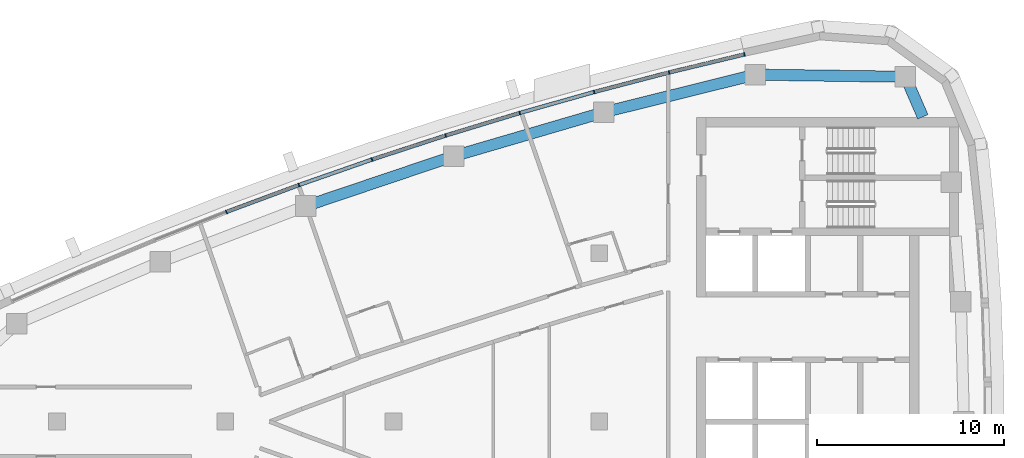
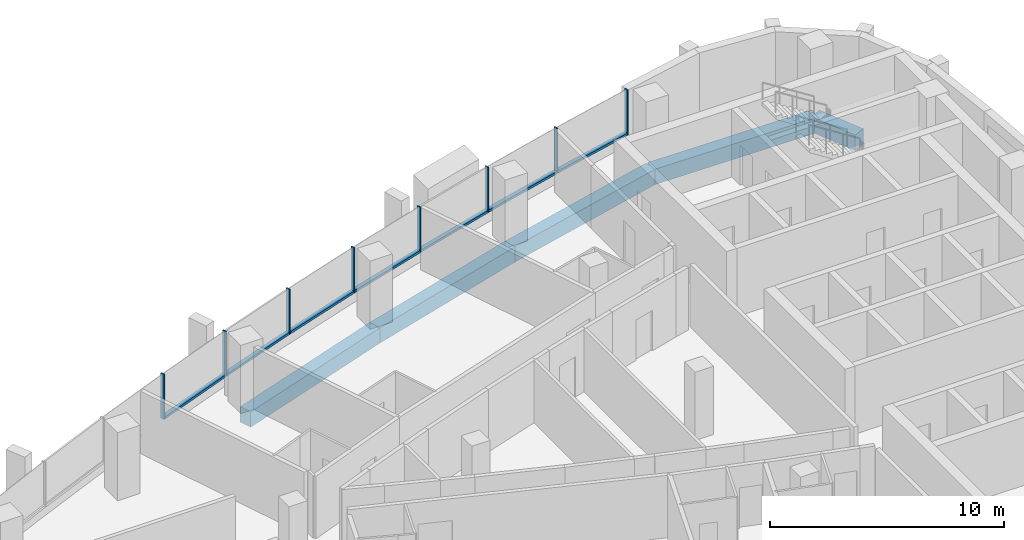
# One storey, part 5 of 14: 15 members, 5 beams, 4 elements without a shape of their own.
"""IFC4 building model written with IfcOpenShell, lengths in metres."""

from ifc_helpers import new_model, si_unit, direction, frame, origin, origin_2d, place, context, subcontext, project, spatial, rectangle, extrude, material, layer, layer_set, material_profile, profile_set, type_object, element, aggregate, save


model = new_model("IFC4")

# Units and contexts
model_context = context("Model", 3, precision=1e-05, world=origin(), true_north=direction((0.0, 1.0)))
body_context = subcontext(model_context, "Body", "Model", "MODEL_VIEW")
ifc_project = project(units=[si_unit("LENGTHUNIT", "METRE"), si_unit("AREAUNIT", "SQUARE_METRE"), si_unit("VOLUMEUNIT", "CUBIC_METRE"), si_unit("PLANEANGLEUNIT", "RADIAN"), si_unit("MASSUNIT", "GRAM", prefix="KILO")], contexts=[model_context])

# Site, building, storey
site_placement = place(None, origin())
site = spatial("IfcSite", under=ifc_project, at=site_placement, CompositionType="ELEMENT")
building_placement = place(site_placement, origin())
building = spatial("IfcBuilding", under=site, at=building_placement, Name="Ostrand Prow Hotel Tower", CompositionType="ELEMENT")
storey_placement = place(building_placement, frame((0.0, 0.0, 271.449951171875)))
storey = spatial("IfcBuildingStorey", under=building, at=storey_placement, Name="L68", CompositionType="ELEMENT", Elevation=271.449951171875)

# Beams
ifc_material_1 = material(Name="Concrete C50/60", Category="concrete")
ifc_material_profile_1 = material_profile(ifc_material_1, rectangle(XDim=0.60009765625, YDim=0.800048828125, at=origin_2d()), Name="RC 600x800")
ifc_profile_set_1 = profile_set([ifc_material_profile_1], Name="Concrete C50/60")
beam_type = type_object("IfcBeamType", Name="Edge beam 600x800 C50/60", PredefinedType="SPANDREL", material=ifc_profile_set_1)
beam_1_placement = place(storey_placement, frame((62.304931640625, 16.300048828125, -0.699951171875), z_axis=(-0.398863844187, 0.91701016014, 0.0), x_axis=(-0.91701016014, -0.398863844187, 0.0)))
element("IfcBeam", 1, at=beam_1_placement, inside=storey, type_object=beam_type, Name="Edge beam B5-NE", PredefinedType="SPANDREL", context=body_context, shape_type="SweptSolid", body=[
    extrude(rectangle(XDim=0.60009765625, YDim=0.800048828125, at=origin_2d()), origin(), (0.0, 0.0, 1.0), 2.333251953125),
])
beam_2_placement = place(storey_placement, frame((61.374267578125, 18.439697265625, -0.699951171875), z_axis=(-0.999900689486, 0.014092947356, 0.0), x_axis=(-0.014092947356, -0.999900689486, 0.0)))
element("IfcBeam", 2, at=beam_2_placement, inside=storey, type_object=beam_type, Name="Edge beam NE-N1", PredefinedType="SPANDREL", context=body_context, shape_type="SweptSolid", body=[
    extrude(rectangle(XDim=0.60009765625, YDim=0.800048828125, at=origin_2d()), origin(), (0.0, 0.0, 1.0), 8.0380859375),
])
for number, where, z_axis, x_axis, name in (
    (3, (53.3369140625, 18.552978515625, -0.699951171875), (-0.970456465292, -0.241276291775, 0.0), (0.241276291775, -0.970456465292, 0.0), "Edge beam N1-N2"),
    (4, (45.234619140625, 16.53857421875, -0.699951171875), (-0.959821966031, -0.280609681809, 0.0), (0.280609681809, -0.959821966031, 0.0), "Edge beam N2-N3"),
    (5, (37.22119140625, 14.19580078125, -0.699951171875), (-0.947575089419, -0.319533174981, 0.0), (0.319533174981, -0.947575089419, 0.0), "Edge beam N3-N4"),
):
    element("IfcBeam", number, at=place(storey_placement, frame(where, z_axis=z_axis, x_axis=x_axis)), inside=storey, type_object=beam_type, Name=name, PredefinedType="SPANDREL", context=body_context, shape_type="SweptSolid", body=[
        extrude(rectangle(XDim=0.60009765625, YDim=0.800048828125, at=origin_2d()), origin(), (0.0, 0.0, 1.0), 8.348876953125),
    ])

# Curtain wall, members
ifc_material_2 = material(Name="Insulated glass in bronze anodised frame", Category="glass")
ifc_layer = layer(ifc_material_2, 0.199951171875)
ifc_layer_set = layer_set([ifc_layer], Name="Insulated glass in bronze anodised frame")
curtain_wall_type = type_object("IfcCurtainWallType", Name="Strip curtain wall, fritted glass over bronze spandrel", PredefinedType="NOTDEFINED", material=ifc_layer_set)
curtain_wall_1_placement = place(storey_placement, origin())
curtain_wall_1 = element("IfcCurtainWall", 6, at=curtain_wall_1_placement, inside=storey, type_object=curtain_wall_type, Name="CW1 run CWN1", PredefinedType="NOTDEFINED")
ifc_material_3 = material(Name="Bronze anodised aluminium", Category="aluminium")
ifc_material_profile_2 = material_profile(ifc_material_3, rectangle(XDim=0.199951171875, YDim=0.06005859375, at=origin_2d()), Name="Mullion 60x200 bronze anodised aluminium")
ifc_profile_set_2 = profile_set([ifc_material_profile_2], Name="Bronze anodised aluminium")
member_type_1 = type_object("IfcMemberType", Name="Mullion 60x200 bronze anodised aluminium", PredefinedType="MULLION", material=ifc_profile_set_2)
member_1_placement = place(storey_placement, frame((52.7607421875, 19.634521484375, 0.900146484375), z_axis=(0.0, 0.0, 1.0), x_axis=(0.232746096028, -0.972537533869, 0.0)))
member_1 = element("IfcMember", 7, at=member_1_placement, type_object=member_type_1, Name="CW1 mullion 1", PredefinedType="MULLION", context=body_context, shape_type="SweptSolid", body=[
    extrude(rectangle(XDim=0.199951171875, YDim=0.06005859375, at=origin_2d()), origin(), (0.0, 0.0, 1.0), 2.349853515625),
])
member_2_placement = place(storey_placement, frame((48.734619140625, 18.6708984375, 0.900146484375), z_axis=(0.0, 0.0, 1.0), x_axis=(0.252248384867, -0.967662519855, 0.0)))
member_2 = element("IfcMember", 8, at=member_2_placement, type_object=member_type_1, Name="CW1 mullion 2", PredefinedType="MULLION", context=body_context, shape_type="SweptSolid", body=[
    extrude(rectangle(XDim=0.199951171875, YDim=0.06005859375, at=origin_2d()), origin(), (0.0, 0.0, 1.0), 2.349853515625),
])
member_3_placement = place(storey_placement, frame((44.728515625, 17.626708984375, 0.900146484375), z_axis=(0.0, 0.0, 1.0), x_axis=(0.252248384867, -0.967662519855, 0.0)))
member_3 = element("IfcMember", 9, at=member_3_placement, type_object=member_type_1, Name="CW1 mullion 3", PredefinedType="MULLION", context=body_context, shape_type="SweptSolid", body=[
    extrude(rectangle(XDim=0.199951171875, YDim=0.06005859375, at=origin_2d()), origin(), (0.0, 0.0, 1.0), 2.349853515625),
])

curtain_wall_2_placement = place(storey_placement, origin())
curtain_wall_2 = element("IfcCurtainWall", 10, at=curtain_wall_2_placement, inside=storey, type_object=curtain_wall_type, Name="CW1 run CWN2", PredefinedType="NOTDEFINED")
member_4_placement = place(storey_placement, frame((40.744384765625, 16.502197265625, 0.900146484375), z_axis=(0.0, 0.0, 1.0), x_axis=(0.290937648411, -0.956742015769, 0.0)))
member_4 = element("IfcMember", 11, at=member_4_placement, type_object=member_type_1, Name="CW1 mullion 2", PredefinedType="MULLION", context=body_context, shape_type="SweptSolid", body=[
    extrude(rectangle(XDim=0.199951171875, YDim=0.06005859375, at=origin_2d()), origin(), (0.0, 0.0, 1.0), 2.349853515625),
])
member_5_placement = place(storey_placement, frame((36.78369140625, 15.297607421875, 0.900146484375), z_axis=(0.0, 0.0, 1.0), x_axis=(0.290937648411, -0.956742015769, 0.0)))
member_5 = element("IfcMember", 12, at=member_5_placement, type_object=member_type_1, Name="CW1 mullion 3", PredefinedType="MULLION", context=body_context, shape_type="SweptSolid", body=[
    extrude(rectangle(XDim=0.199951171875, YDim=0.06005859375, at=origin_2d()), origin(), (0.0, 0.0, 1.0), 2.349853515625),
])

curtain_wall_3_placement = place(storey_placement, origin())
curtain_wall_3 = element("IfcCurtainWall", 13, at=curtain_wall_3_placement, inside=storey, type_object=curtain_wall_type, Name="CW1 run CWN3", PredefinedType="NOTDEFINED")
member_6_placement = place(storey_placement, frame((32.84814453125, 14.013916015625, 0.900146484375), z_axis=(0.0, 0.0, 1.0), x_axis=(0.329158370885, -0.944274730614, 0.0)))
member_6 = element("IfcMember", 14, at=member_6_placement, type_object=member_type_1, Name="CW1 mullion 2", PredefinedType="MULLION", context=body_context, shape_type="SweptSolid", body=[
    extrude(rectangle(XDim=0.199951171875, YDim=0.06005859375, at=origin_2d()), origin(), (0.0, 0.0, 1.0), 2.349853515625),
])
member_7_placement = place(storey_placement, frame((28.93896484375, 12.6513671875, 0.900146484375), z_axis=(0.0, 0.0, 1.0), x_axis=(0.329158370885, -0.944274730614, 0.0)))
member_7 = element("IfcMember", 15, at=member_7_placement, type_object=member_type_1, Name="CW1 mullion 3", PredefinedType="MULLION", context=body_context, shape_type="SweptSolid", body=[
    extrude(rectangle(XDim=0.199951171875, YDim=0.06005859375, at=origin_2d()), origin(), (0.0, 0.0, 1.0), 2.349853515625),
])

# Curtain wall, member
curtain_wall_4_placement = place(storey_placement, origin())
curtain_wall_4 = element("IfcCurtainWall", 16, at=curtain_wall_4_placement, inside=storey, type_object=curtain_wall_type, Name="CW1 run CWN4", PredefinedType="NOTDEFINED")
member_8_placement = place(storey_placement, frame((25.05810546875, 11.210205078125, 0.900146484375), z_axis=(0.0, 0.0, 1.0), x_axis=(0.366845465248, -0.930281895249, 0.0)))
member_8 = element("IfcMember", 17, at=member_8_placement, type_object=member_type_1, Name="CW1 mullion 2", PredefinedType="MULLION", context=body_context, shape_type="SweptSolid", body=[
    extrude(rectangle(XDim=0.199951171875, YDim=0.06005859375, at=origin_2d()), origin(), (0.0, 0.0, 1.0), 2.349853515625),
])

# Member
ifc_material_4 = material(Name="Bronze anodised aluminium", Category="aluminium")
ifc_material_profile_3 = material_profile(ifc_material_4, rectangle(XDim=0.199951171875, YDim=0.1201171875, at=origin_2d()), Name="Transom 120x200 bronze anodised aluminium")
ifc_profile_set_3 = profile_set([ifc_material_profile_3], Name="Bronze anodised aluminium")
member_type_2 = type_object("IfcMemberType", Name="Transom 120x200 bronze anodised aluminium", PredefinedType="USERDEFINED", material=ifc_profile_set_3)
member_9_placement = place(storey_placement, frame((52.7314453125, 19.62744140625, 0.9599609375), z_axis=(-0.972542980558, -0.232723335675, 0.0), x_axis=(0.232723335675, -0.972542980558, 0.0)))
member_9 = element("IfcMember", 18, at=member_9_placement, type_object=member_type_2, Name="CW1 transom 1.1", ObjectType="TRANSOM", PredefinedType="USERDEFINED", context=body_context, shape_type="SweptSolid", body=[
    extrude(rectangle(XDim=0.199951171875, YDim=0.1201171875, at=origin_2d()), origin(), (0.0, 0.0, 1.0), 4.079833984375),
])

member_10_placement = place(storey_placement, frame((48.70556640625, 18.663330078125, 0.9599609375), z_axis=(-0.967664917891, -0.252239185461, 0.0), x_axis=(0.252239185461, -0.967664917891, 0.0)))
member_10 = element("IfcMember", 19, at=member_10_placement, type_object=member_type_2, Name="CW1 transom 2.1", ObjectType="TRANSOM", PredefinedType="USERDEFINED", context=body_context, shape_type="SweptSolid", body=[
    extrude(rectangle(XDim=0.199951171875, YDim=0.1201171875, at=origin_2d()), origin(), (0.0, 0.0, 1.0), 4.07958984375),
])

aggregate(curtain_wall_1, [member_1, member_2, member_3, member_9, member_10])

member_11_placement = place(storey_placement, frame((44.69970703125, 17.61865234375, 0.9599609375), z_axis=(-0.962386308628, -0.271684730828, 0.0), x_axis=(0.271684730828, -0.962386308628, 0.0)))
member_11 = element("IfcMember", 20, at=member_11_placement, type_object=member_type_2, Name="CW1 transom 1.1", ObjectType="TRANSOM", PredefinedType="USERDEFINED", context=body_context, shape_type="SweptSolid", body=[
    extrude(rectangle(XDim=0.199951171875, YDim=0.1201171875, at=origin_2d()), origin(), (0.0, 0.0, 1.0), 4.079833984375),
])

member_12_placement = place(storey_placement, frame((40.7158203125, 16.493408203125, 0.9599609375), z_axis=(-0.956739081124, -0.290947298751, 0.0), x_axis=(0.290947298751, -0.956739081124, 0.0)))
member_12 = element("IfcMember", 21, at=member_12_placement, type_object=member_type_2, Name="CW1 transom 2.1", ObjectType="TRANSOM", PredefinedType="USERDEFINED", context=body_context, shape_type="SweptSolid", body=[
    extrude(rectangle(XDim=0.199951171875, YDim=0.1201171875, at=origin_2d()), origin(), (0.0, 0.0, 1.0), 4.079833984375),
])

aggregate(curtain_wall_2, [member_4, member_5, member_11, member_12])

member_13_placement = place(storey_placement, frame((36.75537109375, 15.288330078125, 0.9599609375), z_axis=(-0.950704145978, -0.310099382165, 0.0), x_axis=(0.310099382165, -0.950704145978, 0.0)))
member_13 = element("IfcMember", 22, at=member_13_placement, type_object=member_type_2, Name="CW1 transom 1.1", ObjectType="TRANSOM", PredefinedType="USERDEFINED", context=body_context, shape_type="SweptSolid", body=[
    extrude(rectangle(XDim=0.199951171875, YDim=0.1201171875, at=origin_2d()), origin(), (0.0, 0.0, 1.0), 4.079833984375),
])

member_14_placement = place(storey_placement, frame((32.81982421875, 14.004150390625, 0.9599609375), z_axis=(-0.944268108385, -0.329177367822, 0.0), x_axis=(0.329177367822, -0.944268108385, 0.0)))
member_14 = element("IfcMember", 23, at=member_14_placement, type_object=member_type_2, Name="CW1 transom 2.1", ObjectType="TRANSOM", PredefinedType="USERDEFINED", context=body_context, shape_type="SweptSolid", body=[
    extrude(rectangle(XDim=0.199951171875, YDim=0.1201171875, at=origin_2d()), origin(), (0.0, 0.0, 1.0), 4.079833984375),
])

aggregate(curtain_wall_3, [member_6, member_7, member_13, member_14])

member_15_placement = place(storey_placement, frame((28.910888671875, 12.640869140625, 0.9599609375), z_axis=(-0.937460424566, -0.348091873465, 0.0), x_axis=(0.348091873465, -0.937460424566, 0.0)))
member_15 = element("IfcMember", 24, at=member_15_placement, type_object=member_type_2, Name="CW1 transom 1.1", ObjectType="TRANSOM", PredefinedType="USERDEFINED", context=body_context, shape_type="SweptSolid", body=[
    extrude(rectangle(XDim=0.199951171875, YDim=0.1201171875, at=origin_2d()), origin(), (0.0, 0.0, 1.0), 4.079833984375),
])

aggregate(curtain_wall_4, [member_8, member_15])

save(model, "model.ifc")
